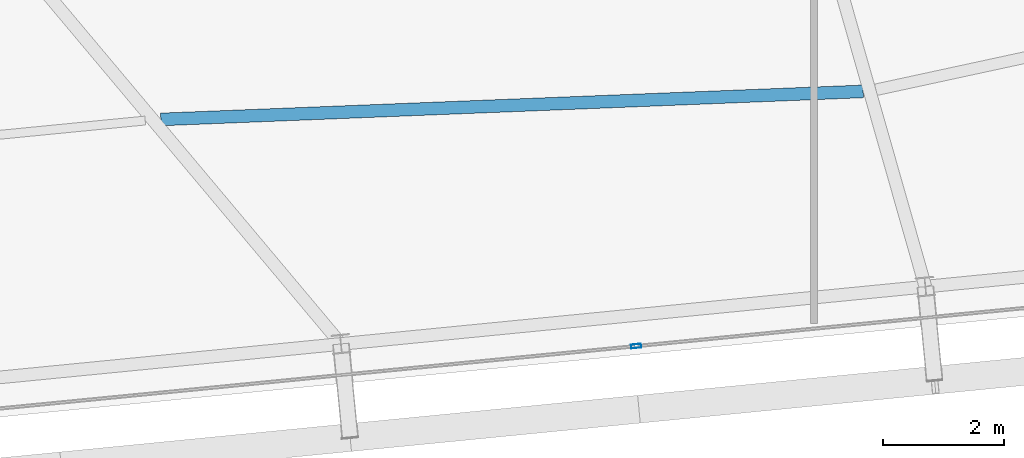
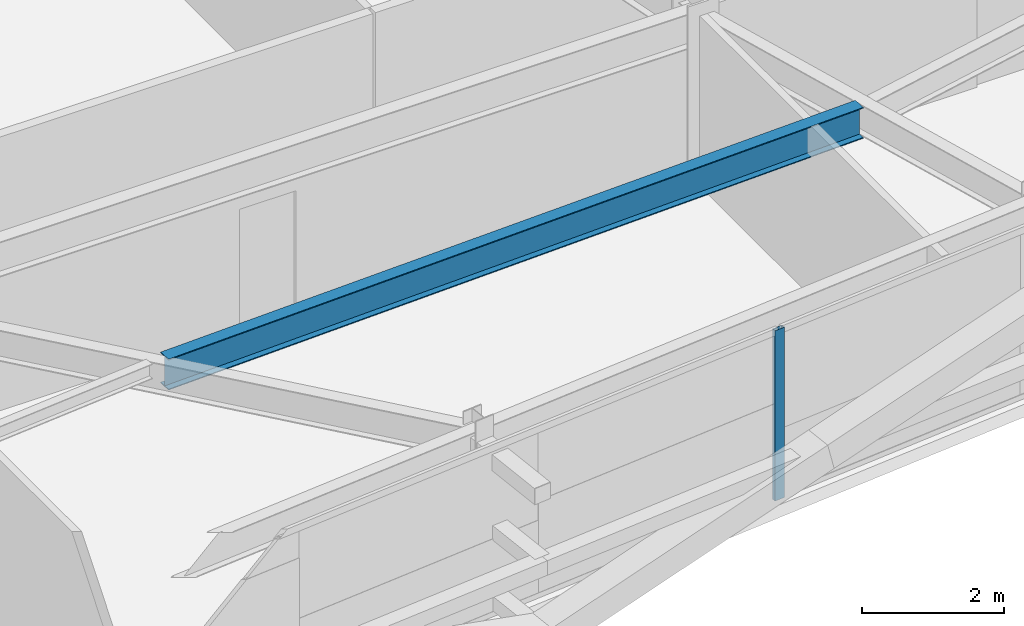
# One storey, part 11 of 47: 1 beam, 1 member, 1 element without a shape of its own.
"""IFC4 building model written with IfcOpenShell, lengths in metres."""

from ifc_helpers import new_model, si_unit, direction, frame, origin, origin_2d, place, context, subcontext, project, spatial, hollow_rectangle, i_section, extrude, source, transform, mapped, material, layer, layer_set, material_profile, profile_set, type_object, element, aggregate, save


model = new_model("IFC4")

# Units and contexts
model_context = context("Model", 3, precision=1e-05, world=origin(), true_north=direction((0.0, 1.0)))
body_context = subcontext(model_context, "Body", "Model", "MODEL_VIEW")
ifc_project = project(units=[si_unit("LENGTHUNIT", "METRE"), si_unit("AREAUNIT", "SQUARE_METRE"), si_unit("VOLUMEUNIT", "CUBIC_METRE"), si_unit("PLANEANGLEUNIT", "RADIAN"), si_unit("MASSUNIT", "GRAM", prefix="KILO")], contexts=[model_context])

# Site, building, storey
site_placement = place(None, origin())
site = spatial("IfcSite", under=ifc_project, at=site_placement, CompositionType="ELEMENT")
building_placement = place(site_placement, origin())
building = spatial("IfcBuilding", under=site, at=building_placement, Name="Taldren Reach Tower", CompositionType="ELEMENT")
storey_placement = place(building_placement, frame((0.0, 0.0, 106.050048828125)))
storey = spatial("IfcBuildingStorey", under=building, at=storey_placement, Name="L32", CompositionType="ELEMENT", Elevation=106.050048828125)

# Beam
ifc_material_1 = material(Name="Steel Gr 350 (350PLUS)", Category="steel")
ifc_material_profile_1 = material_profile(ifc_material_1, i_section(OverallWidth=0.208984375, OverallDepth=0.532958984375, WebThickness=0.01025390625, FlangeThickness=0.015625, at=origin_2d()), Name="530UB92.4")
ifc_profile_set_1 = profile_set([ifc_material_profile_1], Name="Steel Gr 350 (350PLUS)")
beam_type = type_object("IfcBeamType", Name="BM-UB530A", PredefinedType="BEAM", material=ifc_profile_set_1)
shared_shape_1 = source(origin(), body_context, "Body", "SweptSolid", [
    extrude(i_section(OverallWidth=0.208984375, OverallDepth=0.532958984375, WebThickness=0.01025390625, FlangeThickness=0.015625, at=origin_2d()), origin(), (0.0, 0.0, 1.0), 11.586669921875),
])
beam_placement = place(storey_placement, frame((31.23291015625, 5.510009765625, 2.663330078125), z_axis=(0.999202506312, 0.039929329821, 0.0), x_axis=(-0.039929329821, 0.999202506312, 0.0)))
element("IfcBeam", 1, at=beam_placement, inside=storey, type_object=beam_type, Name="Secondary floor beam B2 J3 L32", PredefinedType="BEAM", context=body_context, shape_type="MappedRepresentation", body=[
    mapped(shared_shape_1, transform((0.0, 0.0, 0.0), scale=1.0)),
])

# Curtain wall, member
ifc_material_2 = material(Name="Aluminium and Low-E Glass Unitised System", Category="aluminium")
ifc_layer = layer(ifc_material_2, 0.159912109375)
ifc_layer_set = layer_set([ifc_layer], Name="Aluminium and Low-E Glass Unitised System")
curtain_wall_type = type_object("IfcCurtainWallType", Name="CW-SYS-3", PredefinedType="NOTDEFINED", material=ifc_layer_set)
curtain_wall_placement = place(storey_placement, origin())
curtain_wall = element("IfcCurtainWall", 2, at=curtain_wall_placement, inside=storey, type_object=curtain_wall_type, Name="Unitised curtain wall CW-L32-S", PredefinedType="NOTDEFINED")
ifc_material_3 = material(Name="Anodised Aluminium 6063-T6", Category="aluminium")
ifc_material_profile_2 = material_profile(ifc_material_3, hollow_rectangle(XDim=0.06494140625, YDim=0.1650390625, WallThickness=0.00390625, at=origin_2d()), Name="ALU-165x65x4RHS")
ifc_profile_set_2 = profile_set([ifc_material_profile_2], Name="Anodised Aluminium 6063-T6")
member_type = type_object("IfcMemberType", Name="CW-MUL-165", PredefinedType="MULLION", material=ifc_profile_set_2)
shared_shape_2 = source(origin(), body_context, "Body", "SweptSolid", [
    extrude(hollow_rectangle(XDim=0.06494140625, YDim=0.1650390625, WallThickness=0.00390625, at=origin_2d()), origin(), (0.0, 0.0, 1.0), 2.929931640625),
])
member_placement = place(storey_placement, frame((39.068359375, 1.77392578125, 0.0), z_axis=(0.0, 0.0, 1.0), x_axis=(-0.097582999046, 0.995227390247, 0.0)))
member = element("IfcMember", 3, at=member_placement, type_object=member_type, Name="CW-3 mullion 3", PredefinedType="MULLION", context=body_context, shape_type="MappedRepresentation", body=[
    mapped(shared_shape_2, transform((0.0, 0.0, 0.0), scale=1.0)),
])
aggregate(curtain_wall, [member])

save(model, "model.ifc")
